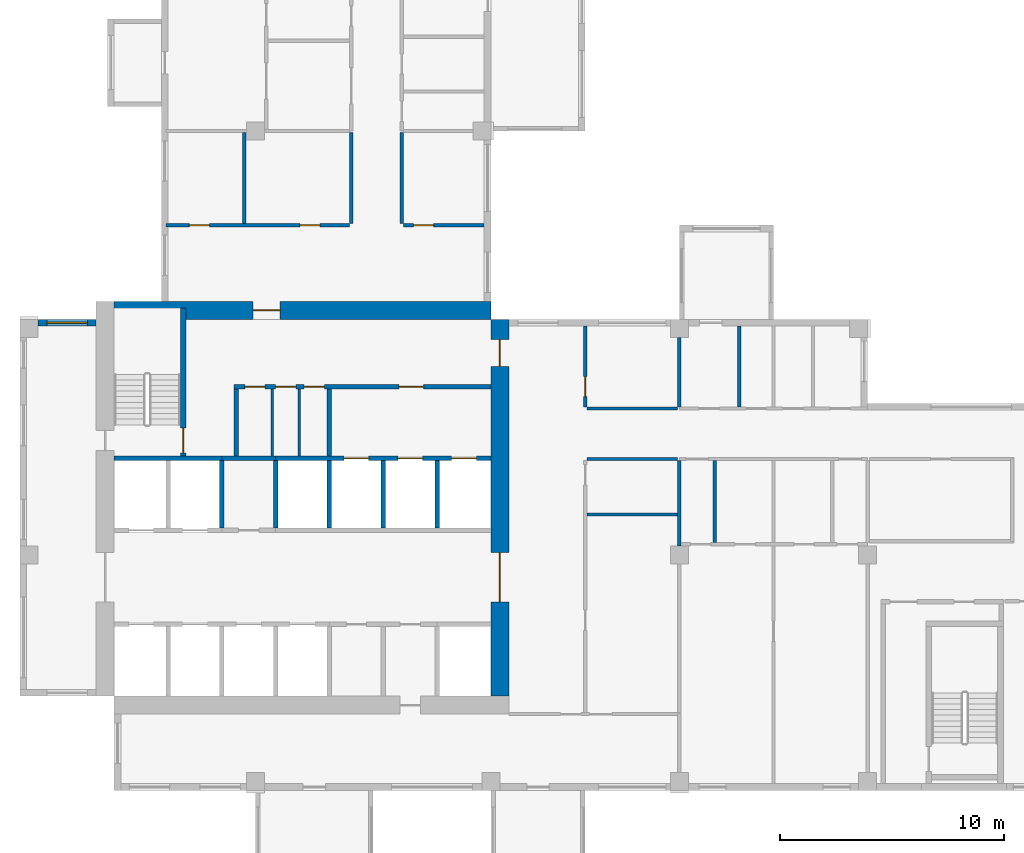
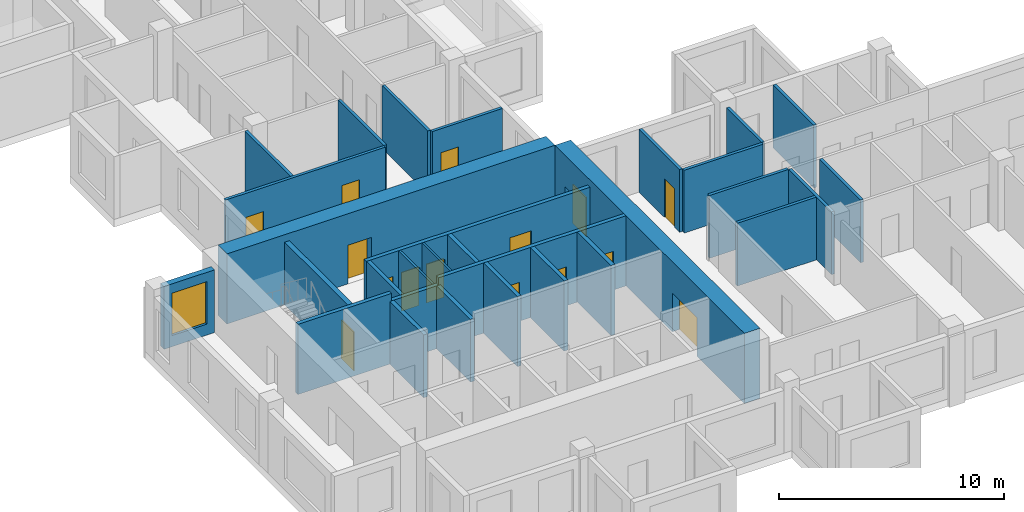
# One storey, part 3 of 12: 30 walls, 15 doors, 1 window, 16 openings.
"""IFC4 building model written with IfcOpenShell, lengths in metres."""

from ifc_helpers import new_model, si_unit, direction, frame, frame_2d, origin, place, context, subcontext, project, spatial, rectangle, extrude, source, transform, mapped, material, layer, layer_set, type_object, element, fill, save


model = new_model("IFC4")

# Units and contexts
model_context = context("Model", 3, precision=1e-05, world=origin(), true_north=direction((0.0, 1.0)))
body_context = subcontext(model_context, "Body", "Model", "MODEL_VIEW")
ifc_project = project(units=[si_unit("LENGTHUNIT", "METRE"), si_unit("AREAUNIT", "SQUARE_METRE"), si_unit("VOLUMEUNIT", "CUBIC_METRE"), si_unit("PLANEANGLEUNIT", "RADIAN"), si_unit("MASSUNIT", "GRAM", prefix="KILO")], contexts=[model_context])

# Site, building, storey
site_placement = place(None, origin())
site = spatial("IfcSite", under=ifc_project, at=site_placement, CompositionType="ELEMENT")
building_placement = place(site_placement, origin())
building = spatial("IfcBuilding", under=site, at=building_placement, Name="Aurelian Terraces", CompositionType="ELEMENT")
storey_placement = place(building_placement, frame((0.0, 0.0, 242.4)))
storey = spatial("IfcBuildingStorey", under=building, at=storey_placement, Name="L55", CompositionType="ELEMENT", Elevation=242.4)

# Wall, openings, doors
ifc_material_1 = material(Name="Concrete fc' 70 MPa", Category="concrete")
ifc_layer_1 = layer(ifc_material_1, 0.8)
ifc_layer_set_1 = layer_set([ifc_layer_1], Name="CORE WALL 800 FC70")
wall_type_1 = type_object("IfcWallType", Name="CORE WALL 800 FC70", PredefinedType="SHEAR", material=ifc_layer_set_1)
shared_shape_1 = source(origin(), body_context, "Body", "SweptSolid", [
    extrude(rectangle(XDim=16.8, YDim=0.8, at=frame_2d((8.4, 0.0))), origin(), (0.0, 0.0, 1.0), 3.8),
])
wall_1_placement = place(storey_placement, frame((21.4, 4.2, 0.0), z_axis=(0.0, 0.0, 1.0), x_axis=(0.0, 1.0, 0.0)))
wall_1 = element("IfcWall", 1, at=wall_1_placement, inside=storey, type_object=wall_type_1, Name="Core wall E L55", PredefinedType="SHEAR", context=body_context, shape_type="MappedRepresentation", body=[
    mapped(shared_shape_1, transform((0.0, 0.0, 0.0), scale=1.0)),
])
shared_shape_2 = source(origin(), body_context, "Body", "SweptSolid", [
    extrude(rectangle(XDim=2.2, YDim=2.1, at=frame_2d((1.1, 1.05))), frame((0.0, 0.41, 0.0), z_axis=(0.0, -1.0, 0.0), x_axis=(1.0, 0.0, 0.0)), (0.0, 0.0, 1.0), 0.82),
])
opening_1_placement = place(wall_1_placement, frame((4.2, 0.0, 0.0)))
opening_1 = element("IfcOpeningElement", 2, at=opening_1_placement, cuts=wall_1, Name="Opening 65823", PredefinedType="OPENING", context=body_context, shape_type="MappedRepresentation", body=[
    mapped(shared_shape_2, transform((0.0, 0.0, 0.0), scale=1.0)),
])
shared_shape_3 = source(origin(), body_context, "Body", "SweptSolid", [
    extrude(rectangle(XDim=1.2, YDim=2.1, at=frame_2d((0.6, 1.05))), frame((0.0, 0.41, 0.0), z_axis=(0.0, -1.0, 0.0), x_axis=(1.0, 0.0, 0.0)), (0.0, 0.0, 1.0), 0.82),
])
opening_2_placement = place(wall_1_placement, frame((14.7, 0.0, 0.0)))
opening_2 = element("IfcOpeningElement", 3, at=opening_2_placement, cuts=wall_1, Name="Opening 65826", PredefinedType="OPENING", context=body_context, shape_type="MappedRepresentation", body=[
    mapped(shared_shape_3, transform((0.0, 0.0, 0.0), scale=1.0)),
])
ifc_material_2 = material(Name="Steel door leaf", Category="steel")
door_type_1 = type_object("IfcDoorType", Name="Core fire door 1200x2100 right", OperationType="SINGLE_SWING_RIGHT", PredefinedType="DOOR", material=ifc_material_2)
shared_shape_4 = source(origin(), body_context, "Body", "SweptSolid", [
    extrude(rectangle(XDim=1.2, YDim=2.1, at=frame_2d((0.6, 1.05))), frame((0.0, 0.025, 0.0), z_axis=(0.0, -1.0, 0.0), x_axis=(1.0, 0.0, 0.0)), (0.0, 0.0, 1.0), 0.05),
])
door_1_placement = place(opening_2_placement, origin())
door_1 = element("IfcDoor", 4, at=door_1_placement, inside=storey, type_object=door_type_1, Name="Core door 65826", OperationType="SINGLE_SWING_RIGHT", OverallHeight=2.1, OverallWidth=1.2, PredefinedType="DOOR", context=body_context, shape_type="MappedRepresentation", body=[
    mapped(shared_shape_4, transform((0.0, 0.0, 0.0), scale=1.0)),
])
fill(opening_2, door_1)
door_type_2 = type_object("IfcDoorType", Name="Core double door 2200x2100", OperationType="DOUBLE_DOOR_SINGLE_SWING", PredefinedType="DOOR", material=ifc_material_2)
shared_shape_5 = source(origin(), body_context, "Body", "SweptSolid", [
    extrude(rectangle(XDim=2.2, YDim=2.1, at=frame_2d((1.1, 1.05))), frame((0.0, 0.025, 0.0), z_axis=(0.0, -1.0, 0.0), x_axis=(1.0, 0.0, 0.0)), (0.0, 0.0, 1.0), 0.05),
])
door_2_placement = place(opening_1_placement, origin())
door_2 = element("IfcDoor", 5, at=door_2_placement, inside=storey, type_object=door_type_2, Name="Core door 65823", OperationType="DOUBLE_DOOR_SINGLE_SWING", OverallHeight=2.1, OverallWidth=2.2, PredefinedType="DOOR", context=body_context, shape_type="MappedRepresentation", body=[
    mapped(shared_shape_5, transform((0.0, 0.0, 0.0), scale=1.0)),
])
fill(opening_1, door_2)

# Wall, opening, door
wall_2_placement = place(storey_placement, frame((4.2, 21.4, 0.0), z_axis=(0.0, 0.0, 1.0), x_axis=(1.0, 0.0, 0.0)))
wall_2 = element("IfcWall", 6, at=wall_2_placement, inside=storey, type_object=wall_type_1, Name="Core wall N L55", PredefinedType="SHEAR", context=body_context, shape_type="MappedRepresentation", body=[
    mapped(shared_shape_1, transform((0.0, 0.0, 0.0), scale=1.0)),
])
opening_3_placement = place(wall_2_placement, frame((6.2, 0.0, 0.0)))
opening_3 = element("IfcOpeningElement", 7, at=opening_3_placement, cuts=wall_2, Name="Opening 65825", PredefinedType="OPENING", context=body_context, shape_type="MappedRepresentation", body=[
    mapped(shared_shape_3, transform((0.0, 0.0, 0.0), scale=1.0)),
])
door_type_3 = type_object("IfcDoorType", Name="Core fire door 1200x2100", OperationType="SINGLE_SWING_LEFT", PredefinedType="DOOR", material=ifc_material_2)
door_3_placement = place(opening_3_placement, origin())
door_3 = element("IfcDoor", 8, at=door_3_placement, inside=storey, type_object=door_type_3, Name="Core door 65825", OperationType="SINGLE_SWING_LEFT", OverallHeight=2.1, OverallWidth=1.2, PredefinedType="DOOR", context=body_context, shape_type="MappedRepresentation", body=[
    mapped(shared_shape_4, transform((0.0, 0.0, 0.0), scale=1.0)),
])
fill(opening_3, door_3)

# Wall, opening, window
ifc_material_3 = material(Name="Terracotta rainscreen cladding", Category="masonry")
ifc_layer_2 = layer(ifc_material_3, 0.3)
ifc_layer_set_2 = layer_set([ifc_layer_2], Name="EW-300")
wall_type_2 = type_object("IfcWallType", Name="EW-300", PredefinedType="STANDARD", material=ifc_layer_set_2)
shared_shape_6 = source(origin(), body_context, "Body", "SweptSolid", [
    extrude(rectangle(XDim=2.6, YDim=0.3, at=frame_2d((1.3, 0.0))), origin(), (0.0, 0.0, 1.0), 3.4),
])
wall_3_placement = place(storey_placement, frame((3.4, 20.85, 0.0), z_axis=(0.0, 0.0, 1.0), x_axis=(-1.0, 0.0, 0.0)))
wall_3 = element("IfcWall", 9, at=wall_3_placement, inside=storey, type_object=wall_type_2, Name="External wall L55 F19.31", PredefinedType="STANDARD", context=body_context, shape_type="MappedRepresentation", body=[
    mapped(shared_shape_6, transform((0.0, 0.0, 0.0), scale=1.0)),
])
shared_shape_7 = source(origin(), body_context, "Body", "SweptSolid", [
    extrude(rectangle(XDim=1.8, YDim=2.3, at=frame_2d((0.9, 1.15))), frame((0.0, 0.16, 0.0), z_axis=(0.0, -1.0, 0.0), x_axis=(1.0, 0.0, 0.0)), (0.0, 0.0, 1.0), 0.32),
])
opening_4_placement = place(wall_3_placement, frame((0.4, 0.0, 0.6)))
opening_4 = element("IfcOpeningElement", 10, at=opening_4_placement, cuts=wall_3, Name="Opening W1823", PredefinedType="OPENING", context=body_context, shape_type="MappedRepresentation", body=[
    mapped(shared_shape_7, transform((0.0, 0.0, 0.0), scale=1.0)),
])
ifc_material_4 = material(Name="Clear glazing", Category="glass")
window_type = type_object("IfcWindowType", Name="W-1800x2300", PartitioningType="SINGLE_PANEL", PredefinedType="WINDOW", material=ifc_material_4)
shared_shape_8 = source(origin(), body_context, "Body", "SweptSolid", [
    extrude(rectangle(XDim=1.8, YDim=2.3, at=frame_2d((0.9, 1.15))), frame((0.0, 0.03, 0.0), z_axis=(0.0, -1.0, 0.0), x_axis=(1.0, 0.0, 0.0)), (0.0, 0.0, 1.0), 0.06),
])
window_placement = place(opening_4_placement, origin())
window = element("IfcWindow", 11, at=window_placement, inside=storey, type_object=window_type, Name="Window L55 L55-F19-31-0", OverallHeight=2.3, OverallWidth=1.8, PartitioningType="SINGLE_PANEL", PredefinedType="WINDOW", context=body_context, shape_type="MappedRepresentation", body=[
    mapped(shared_shape_8, transform((0.0, 0.0, 0.0), scale=1.0)),
])
fill(opening_4, window)

# Walls
ifc_material_5 = material(Name="Concrete fc' 40 MPa", Category="concrete")
ifc_layer_3 = layer(ifc_material_5, 0.2)
ifc_layer_set_3 = layer_set([ifc_layer_3], Name="Lift shaft wall 200")
wall_type_3 = type_object("IfcWallType", Name="Lift shaft wall 200", PredefinedType="SOLIDWALL", material=ifc_layer_set_3)
shared_shape_9 = source(origin(), body_context, "Body", "SweptSolid", [
    extrude(rectangle(XDim=3.0, YDim=0.2, at=frame_2d((1.5, 0.0))), origin(), (0.0, 0.0, 1.0), 3.4),
])
for number, where, z_axis, x_axis, name in (
    (12, (9.0, 11.7, 0.0), (0.0, 0.0, 1.0), (0.0, 1.0, 0.0), "L55 core wall CD-B2"),
    (13, (11.4, 11.7, 0.0), (0.0, 0.0, 1.0), (0.0, 1.0, 0.0), "L55 core wall CD-B3"),
):
    element("IfcWall", number, at=place(storey_placement, frame(where, z_axis=z_axis, x_axis=x_axis)), inside=storey, type_object=wall_type_3, Name=name, PredefinedType="SOLIDWALL", context=body_context, shape_type="MappedRepresentation", body=[
        mapped(shared_shape_9, transform((0.0, 0.0, 0.0), scale=1.0)),
    ])
shared_shape_10 = source(origin(), body_context, "Body", "SweptSolid", [
    extrude(rectangle(XDim=3.0, YDim=0.2, at=frame_2d((1.5, 0.0))), origin(), (0.0, 0.0, 1.0), 3.8),
])
for number, where, z_axis, x_axis, name in (
    (14, (13.8, 11.7, 0.0), (0.0, 0.0, 1.0), (0.0, 1.0, 0.0), "L55 core wall CD-B4"),
    (15, (16.2, 11.7, 0.0), (0.0, 0.0, 1.0), (0.0, 1.0, 0.0), "L55 core wall CD-B5"),
    (16, (18.6, 11.7, 0.0), (0.0, 0.0, 1.0), (0.0, 1.0, 0.0), "L55 core wall CD-B6"),
):
    element("IfcWall", number, at=place(storey_placement, frame(where, z_axis=z_axis, x_axis=x_axis)), inside=storey, type_object=wall_type_3, Name=name, PredefinedType="SOLIDWALL", context=body_context, shape_type="MappedRepresentation", body=[
        mapped(shared_shape_10, transform((0.0, 0.0, 0.0), scale=1.0)),
    ])

# Wall, openings, doors
shared_shape_11 = source(origin(), body_context, "Body", "SweptSolid", [
    extrude(rectangle(XDim=9.6, YDim=0.2, at=frame_2d((4.8, 0.0))), origin(), (0.0, 0.0, 1.0), 3.8),
])
wall_4_placement = place(storey_placement, frame((11.4, 14.8, 0.0), z_axis=(0.0, 0.0, 1.0), x_axis=(1.0, 0.0, 0.0)))
wall_4 = element("IfcWall", 17, at=wall_4_placement, inside=storey, type_object=wall_type_3, Name="L55 core wall CF-BB3", PredefinedType="SOLIDWALL", context=body_context, shape_type="MappedRepresentation", body=[
    mapped(shared_shape_11, transform((0.0, 0.0, 0.0), scale=1.0)),
])
shared_shape_12 = source(origin(), body_context, "Body", "SweptSolid", [
    extrude(rectangle(XDim=1.1, YDim=2.1, at=frame_2d((0.55, 1.05))), frame((0.0, 0.11, 0.0), z_axis=(0.0, -1.0, 0.0), x_axis=(1.0, 0.0, 0.0)), (0.0, 0.0, 1.0), 0.22),
])
opening_5_placement = place(wall_4_placement, frame((3.05, 0.0, 0.0)))
opening_5 = element("IfcOpeningElement", 18, at=opening_5_placement, cuts=wall_4, Name="Opening 65809", PredefinedType="OPENING", context=body_context, shape_type="MappedRepresentation", body=[
    mapped(shared_shape_12, transform((0.0, 0.0, 0.0), scale=1.0)),
])
opening_6_placement = place(wall_4_placement, frame((5.45, 0.0, 0.0)))
opening_6 = element("IfcOpeningElement", 19, at=opening_6_placement, cuts=wall_4, Name="Opening 65810", PredefinedType="OPENING", context=body_context, shape_type="MappedRepresentation", body=[
    mapped(shared_shape_12, transform((0.0, 0.0, 0.0), scale=1.0)),
])
opening_7_placement = place(wall_4_placement, frame((7.85, 0.0, 0.0)))
opening_7 = element("IfcOpeningElement", 20, at=opening_7_placement, cuts=wall_4, Name="Opening 65811", PredefinedType="OPENING", context=body_context, shape_type="MappedRepresentation", body=[
    mapped(shared_shape_12, transform((0.0, 0.0, 0.0), scale=1.0)),
])
ifc_material_6 = material(Name="Stainless steel", Category="steel")
door_type_4 = type_object("IfcDoorType", Name="Lift landing door 1100x2100", OperationType="SLIDING_TO_LEFT", PredefinedType="DOOR", material=ifc_material_6)
shared_shape_13 = source(origin(), body_context, "Body", "SweptSolid", [
    extrude(rectangle(XDim=1.1, YDim=2.1, at=frame_2d((0.55, 1.05))), frame((0.0, 0.025, 0.0), z_axis=(0.0, -1.0, 0.0), x_axis=(1.0, 0.0, 0.0)), (0.0, 0.0, 1.0), 0.05),
])
door_4_placement = place(opening_5_placement, origin())
door_4 = element("IfcDoor", 21, at=door_4_placement, inside=storey, type_object=door_type_4, Name="Lift landing door F1 L55", OperationType="SLIDING_TO_LEFT", OverallHeight=2.1, OverallWidth=1.1, PredefinedType="DOOR", context=body_context, shape_type="MappedRepresentation", body=[
    mapped(shared_shape_13, transform((0.0, 0.0, 0.0), scale=1.0)),
])
fill(opening_5, door_4)
door_5_placement = place(opening_6_placement, origin())
door_5 = element("IfcDoor", 22, at=door_5_placement, inside=storey, type_object=door_type_4, Name="Lift landing door F2 L55", OperationType="SLIDING_TO_LEFT", OverallHeight=2.1, OverallWidth=1.1, PredefinedType="DOOR", context=body_context, shape_type="MappedRepresentation", body=[
    mapped(shared_shape_13, transform((0.0, 0.0, 0.0), scale=1.0)),
])
fill(opening_6, door_5)
door_6_placement = place(opening_7_placement, origin())
door_6 = element("IfcDoor", 23, at=door_6_placement, inside=storey, type_object=door_type_4, Name="Lift landing door F3 L55", OperationType="SLIDING_TO_LEFT", OverallHeight=2.1, OverallWidth=1.1, PredefinedType="DOOR", context=body_context, shape_type="MappedRepresentation", body=[
    mapped(shared_shape_13, transform((0.0, 0.0, 0.0), scale=1.0)),
])
fill(opening_7, door_6)

# Walls
shared_shape_14 = source(origin(), body_context, "Body", "SweptSolid", [
    extrude(rectangle(XDim=4.8, YDim=0.2, at=frame_2d((2.4, 0.0))), origin(), (0.0, 0.0, 1.0), 3.8),
])
wall_5_placement = place(storey_placement, frame((4.2, 14.8, 0.0), z_axis=(0.0, 0.0, 1.0), x_axis=(1.0, 0.0, 0.0)))
element("IfcWall", 24, at=wall_5_placement, inside=storey, type_object=wall_type_3, Name="L55 core wall CF-BB1", PredefinedType="SOLIDWALL", context=body_context, shape_type="MappedRepresentation", body=[
    mapped(shared_shape_14, transform((0.0, 0.0, 0.0), scale=1.0)),
])
shared_shape_15 = source(origin(), body_context, "Body", "SweptSolid", [
    extrude(rectangle(XDim=2.4, YDim=0.2, at=frame_2d((1.2, 0.0))), origin(), (0.0, 0.0, 1.0), 3.4),
])
wall_6_placement = place(storey_placement, frame((9.0, 14.8, 0.0), z_axis=(0.0, 0.0, 1.0), x_axis=(1.0, 0.0, 0.0)))
element("IfcWall", 25, at=wall_6_placement, inside=storey, type_object=wall_type_3, Name="L55 core wall CF-BB2", PredefinedType="SOLIDWALL", context=body_context, shape_type="MappedRepresentation", body=[
    mapped(shared_shape_15, transform((0.0, 0.0, 0.0), scale=1.0)),
])
ifc_material_7 = material(Name="Gypsum board on steel studs", Category="steel")
ifc_layer_4 = layer(ifc_material_7, 0.2)
ifc_layer_set_4 = layer_set([ifc_layer_4], Name="Core partition 200")
wall_type_4 = type_object("IfcWallType", Name="Core partition 200", PredefinedType="PARTITIONING", material=ifc_layer_set_4)
shared_shape_16 = source(origin(), body_context, "Body", "SweptSolid", [
    extrude(rectangle(XDim=3.0, YDim=0.2, at=frame_2d((1.5, 0.0))), origin(), (0.0, 0.0, 1.0), 3.4),
])
for number, where, z_axis, x_axis, name in (
    (26, (9.65, 14.9, 0.0), (0.0, 0.0, 1.0), (0.0, 1.0, 0.0), "L55 core wall CP-VEST"),
    (27, (13.8, 14.9, 0.0), (0.0, 0.0, 1.0), (0.0, 1.0, 0.0), "L55 core wall CP-FFL"),
):
    element("IfcWall", number, at=place(storey_placement, frame(where, z_axis=z_axis, x_axis=x_axis)), inside=storey, type_object=wall_type_4, Name=name, PredefinedType="PARTITIONING", context=body_context, shape_type="MappedRepresentation", body=[
        mapped(shared_shape_16, transform((0.0, 0.0, 0.0), scale=1.0)),
    ])
ifc_layer_5 = layer(ifc_material_7, 0.1)
ifc_layer_set_5 = layer_set([ifc_layer_5], Name="Core partition 100")
wall_type_5 = type_object("IfcWallType", Name="Core partition 100", PredefinedType="PARTITIONING", material=ifc_layer_set_5)
shared_shape_17 = source(origin(), body_context, "Body", "SweptSolid", [
    extrude(rectangle(XDim=3.0, YDim=0.1, at=frame_2d((1.5, 0.0))), origin(), (0.0, 0.0, 1.0), 3.4),
])
for number, where, z_axis, x_axis, name in (
    (28, (11.25, 14.9, 0.0), (0.0, 0.0, 1.0), (0.0, 1.0, 0.0), "L55 core wall CP-SV1"),
    (29, (12.45, 14.9, 0.0), (0.0, 0.0, 1.0), (0.0, 1.0, 0.0), "L55 core wall CP-SV2"),
):
    element("IfcWall", number, at=place(storey_placement, frame(where, z_axis=z_axis, x_axis=x_axis)), inside=storey, type_object=wall_type_5, Name=name, PredefinedType="PARTITIONING", context=body_context, shape_type="MappedRepresentation", body=[
        mapped(shared_shape_17, transform((0.0, 0.0, 0.0), scale=1.0)),
    ])

# Wall, opening, door
ifc_layer_6 = layer(ifc_material_5, 0.25)
ifc_layer_set_6 = layer_set([ifc_layer_6], Name="Stair enclosure wall 250")
wall_type_6 = type_object("IfcWallType", Name="Stair enclosure wall 250", PredefinedType="SOLIDWALL", material=ifc_layer_set_6)
shared_shape_18 = source(origin(), body_context, "Body", "SweptSolid", [
    extrude(rectangle(XDim=6.6, YDim=0.25, at=frame_2d((3.3, 0.0))), origin(), (0.0, 0.0, 1.0), 3.4),
])
wall_7_placement = place(storey_placement, frame((7.275, 14.9, 0.0), z_axis=(0.0, 0.0, 1.0), x_axis=(0.0, 1.0, 0.0)))
wall_7 = element("IfcWall", 30, at=wall_7_placement, inside=storey, type_object=wall_type_6, Name="L55 core wall ST-S1-E", PredefinedType="SOLIDWALL", context=body_context, shape_type="MappedRepresentation", body=[
    mapped(shared_shape_18, transform((0.0, 0.0, 0.0), scale=1.0)),
])
shared_shape_19 = source(origin(), body_context, "Body", "SweptSolid", [
    extrude(rectangle(XDim=1.1, YDim=2.1, at=frame_2d((0.55, 1.05))), frame((0.0, 0.135, 0.0), z_axis=(0.0, -1.0, 0.0), x_axis=(1.0, 0.0, 0.0)), (0.0, 0.0, 1.0), 0.27),
])
opening_8_placement = place(wall_7_placement, frame((0.15, 0.0, 0.0)))
opening_8 = element("IfcOpeningElement", 31, at=opening_8_placement, cuts=wall_7, Name="Opening 65812", PredefinedType="OPENING", context=body_context, shape_type="MappedRepresentation", body=[
    mapped(shared_shape_19, transform((0.0, 0.0, 0.0), scale=1.0)),
])
door_type_5 = type_object("IfcDoorType", Name="Core fire door 1100x2100", OperationType="SINGLE_SWING_LEFT", PredefinedType="DOOR", material=ifc_material_2)
door_7_placement = place(opening_8_placement, origin())
door_7 = element("IfcDoor", 32, at=door_7_placement, inside=storey, type_object=door_type_5, Name="Stair door 65812", OperationType="SINGLE_SWING_LEFT", OverallHeight=2.1, OverallWidth=1.1, PredefinedType="DOOR", context=body_context, shape_type="MappedRepresentation", body=[
    mapped(shared_shape_13, transform((0.0, 0.0, 0.0), scale=1.0)),
])
fill(opening_8, door_7)

# Wall, openings, doors
shared_shape_20 = source(origin(), body_context, "Body", "SweptSolid", [
    extrude(rectangle(XDim=11.45, YDim=0.2, at=frame_2d((5.725, 0.0))), origin(), (0.0, 0.0, 1.0), 3.4),
])
wall_8_placement = place(storey_placement, frame((9.55, 18.0, 0.0), z_axis=(0.0, 0.0, 1.0), x_axis=(1.0, 0.0, 0.0)))
wall_8 = element("IfcWall", 33, at=wall_8_placement, inside=storey, type_object=wall_type_4, Name="L55 core wall CP-NORTH", PredefinedType="PARTITIONING", context=body_context, shape_type="MappedRepresentation", body=[
    mapped(shared_shape_20, transform((0.0, 0.0, 0.0), scale=1.0)),
])
shared_shape_21 = source(origin(), body_context, "Body", "SweptSolid", [
    extrude(rectangle(XDim=0.9, YDim=2.1, at=frame_2d((0.45, 1.05))), frame((0.0, 0.11, 0.0), z_axis=(0.0, -1.0, 0.0), x_axis=(1.0, 0.0, 0.0)), (0.0, 0.0, 1.0), 0.22),
])
opening_9_placement = place(wall_8_placement, frame((0.475, 0.0, 0.0)))
opening_9 = element("IfcOpeningElement", 34, at=opening_9_placement, cuts=wall_8, Name="Opening 65813", PredefinedType="OPENING", context=body_context, shape_type="MappedRepresentation", body=[
    mapped(shared_shape_21, transform((0.0, 0.0, 0.0), scale=1.0)),
])
opening_10_placement = place(wall_8_placement, frame((1.85, 0.0, 0.0)))
opening_10 = element("IfcOpeningElement", 35, at=opening_10_placement, cuts=wall_8, Name="Opening 65814", PredefinedType="OPENING", context=body_context, shape_type="MappedRepresentation", body=[
    mapped(shared_shape_21, transform((0.0, 0.0, 0.0), scale=1.0)),
])
opening_11_placement = place(wall_8_placement, frame((3.125, 0.0, 0.0)))
opening_11 = element("IfcOpeningElement", 36, at=opening_11_placement, cuts=wall_8, Name="Opening 65815", PredefinedType="OPENING", context=body_context, shape_type="MappedRepresentation", body=[
    mapped(shared_shape_21, transform((0.0, 0.0, 0.0), scale=1.0)),
])
opening_12_placement = place(wall_8_placement, frame((7.35, 0.0, 0.0)))
opening_12 = element("IfcOpeningElement", 37, at=opening_12_placement, cuts=wall_8, Name="Opening 65816", PredefinedType="OPENING", context=body_context, shape_type="MappedRepresentation", body=[
    mapped(shared_shape_12, transform((0.0, 0.0, 0.0), scale=1.0)),
])
door_type_6 = type_object("IfcDoorType", Name="Core service door 900x2100 right", OperationType="SINGLE_SWING_RIGHT", PredefinedType="DOOR", material=ifc_material_2)
shared_shape_22 = source(origin(), body_context, "Body", "SweptSolid", [
    extrude(rectangle(XDim=0.9, YDim=2.1, at=frame_2d((0.45, 1.05))), frame((0.0, 0.025, 0.0), z_axis=(0.0, -1.0, 0.0), x_axis=(1.0, 0.0, 0.0)), (0.0, 0.0, 1.0), 0.05),
])
door_8_placement = place(opening_9_placement, origin())
door_8 = element("IfcDoor", 38, at=door_8_placement, inside=storey, type_object=door_type_6, Name="Room door 65813", OperationType="SINGLE_SWING_RIGHT", OverallHeight=2.1, OverallWidth=0.9, PredefinedType="DOOR", context=body_context, shape_type="MappedRepresentation", body=[
    mapped(shared_shape_22, transform((0.0, 0.0, 0.0), scale=1.0)),
])
fill(opening_9, door_8)
door_type_7 = type_object("IfcDoorType", Name="Core riser door 900x2100", OperationType="SINGLE_SWING_LEFT", PredefinedType="DOOR", material=ifc_material_2)
door_9_placement = place(opening_10_placement, origin())
door_9 = element("IfcDoor", 39, at=door_9_placement, inside=storey, type_object=door_type_7, Name="Room door 65814", OperationType="SINGLE_SWING_LEFT", OverallHeight=2.1, OverallWidth=0.9, PredefinedType="DOOR", context=body_context, shape_type="MappedRepresentation", body=[
    mapped(shared_shape_22, transform((0.0, 0.0, 0.0), scale=1.0)),
])
fill(opening_10, door_9)
door_10_placement = place(opening_11_placement, origin())
door_10 = element("IfcDoor", 40, at=door_10_placement, inside=storey, type_object=door_type_6, Name="Room door 65815", OperationType="SINGLE_SWING_RIGHT", OverallHeight=2.1, OverallWidth=0.9, PredefinedType="DOOR", context=body_context, shape_type="MappedRepresentation", body=[
    mapped(shared_shape_22, transform((0.0, 0.0, 0.0), scale=1.0)),
])
fill(opening_11, door_10)
door_11_placement = place(opening_12_placement, origin())
door_11 = element("IfcDoor", 41, at=door_11_placement, inside=storey, type_object=door_type_5, Name="Ff lobby door 65816", OperationType="SINGLE_SWING_LEFT", OverallHeight=2.1, OverallWidth=1.1, PredefinedType="DOOR", context=body_context, shape_type="MappedRepresentation", body=[
    mapped(shared_shape_13, transform((0.0, 0.0, 0.0), scale=1.0)),
])
fill(opening_12, door_11)

# Wall, opening, door
ifc_layer_7 = layer(ifc_material_7, 0.15)
ifc_layer_set_7 = layer_set([ifc_layer_7], Name="Partition 150")
wall_type_7 = type_object("IfcWallType", Name="Partition 150", PredefinedType="PARTITIONING", material=ifc_layer_set_7)
shared_shape_23 = source(origin(), body_context, "Body", "SweptSolid", [
    extrude(rectangle(XDim=3.6, YDim=0.15, at=frame_2d((1.8, 0.0))), origin(), (0.0, 0.0, 1.0), 3.4),
])
wall_9_placement = place(storey_placement, frame((25.2, 20.7, 0.0), z_axis=(0.0, 0.0, 1.0), x_axis=(0.0, -1.0, 0.0)))
wall_9 = element("IfcWall", 42, at=wall_9_placement, inside=storey, type_object=wall_type_7, Name="Partition", PredefinedType="PARTITIONING", context=body_context, shape_type="MappedRepresentation", body=[
    mapped(shared_shape_23, transform((0.0, 0.0, 0.0), scale=1.0)),
])
shared_shape_24 = source(origin(), body_context, "Body", "SweptSolid", [
    extrude(rectangle(XDim=0.9, YDim=2.1, at=frame_2d((0.45, 1.05))), frame((0.0, 0.085, 0.0), z_axis=(0.0, -1.0, 0.0), x_axis=(1.0, 0.0, 0.0)), (0.0, 0.0, 1.0), 0.17),
])
opening_13_placement = place(wall_9_placement, frame((2.25, 0.0, 0.0)))
opening_13 = element("IfcOpeningElement", 43, at=opening_13_placement, cuts=wall_9, Name="Opening 755003", PredefinedType="OPENING", context=body_context, shape_type="MappedRepresentation", body=[
    mapped(shared_shape_24, transform((0.0, 0.0, 0.0), scale=1.0)),
])
ifc_material_8 = material(Name="Timber door leaf", Category="wood")
door_type_8 = type_object("IfcDoorType", Name="Room door 900x2100 right", OperationType="SINGLE_SWING_RIGHT", PredefinedType="DOOR", material=ifc_material_8)
door_12_placement = place(opening_13_placement, origin())
door_12 = element("IfcDoor", 44, at=door_12_placement, inside=storey, type_object=door_type_8, Name="Door 755003", OperationType="SINGLE_SWING_RIGHT", OverallHeight=2.1, OverallWidth=0.9, PredefinedType="DOOR", context=body_context, shape_type="MappedRepresentation", body=[
    mapped(shared_shape_22, transform((0.0, 0.0, 0.0), scale=1.0)),
])
fill(opening_13, door_12)

# Wall
wall_10_placement = place(storey_placement, frame((32.067, 20.7, 0.0), z_axis=(0.0, 0.0, 1.0), x_axis=(0.0, -1.0, 0.0)))
element("IfcWall", 45, at=wall_10_placement, inside=storey, type_object=wall_type_7, Name="Partition", PredefinedType="PARTITIONING", context=body_context, shape_type="MappedRepresentation", body=[
    mapped(shared_shape_23, transform((0.0, 0.0, 0.0), scale=1.0)),
])

# Wall, opening, door
wall_11_placement = place(storey_placement, frame((17.1, 25.2, 0.0), z_axis=(0.0, 0.0, 1.0), x_axis=(1.0, 0.0, 0.0)))
wall_11 = element("IfcWall", 46, at=wall_11_placement, inside=storey, type_object=wall_type_7, Name="Partition", PredefinedType="PARTITIONING", context=body_context, shape_type="MappedRepresentation", body=[
    mapped(shared_shape_23, transform((0.0, 0.0, 0.0), scale=1.0)),
])
opening_14_placement = place(wall_11_placement, frame((0.45, 0.0, 0.0)))
opening_14 = element("IfcOpeningElement", 47, at=opening_14_placement, cuts=wall_11, Name="Opening 755024", PredefinedType="OPENING", context=body_context, shape_type="MappedRepresentation", body=[
    mapped(shared_shape_24, transform((0.0, 0.0, 0.0), scale=1.0)),
])
door_13_placement = place(opening_14_placement, origin())
door_13 = element("IfcDoor", 48, at=door_13_placement, inside=storey, type_object=door_type_8, Name="Door 755024", OperationType="SINGLE_SWING_RIGHT", OverallHeight=2.1, OverallWidth=0.9, PredefinedType="DOOR", context=body_context, shape_type="MappedRepresentation", body=[
    mapped(shared_shape_22, transform((0.0, 0.0, 0.0), scale=1.0)),
])
fill(opening_14, door_13)

# Wall, openings, doors
shared_shape_25 = source(origin(), body_context, "Body", "SweptSolid", [
    extrude(rectangle(XDim=8.195, YDim=0.15, at=frame_2d((4.0975, 0.0))), origin(), (0.0, 0.0, 1.0), 3.4),
])
wall_12_placement = place(storey_placement, frame((6.505, 25.2, 0.0), z_axis=(0.0, 0.0, 1.0), x_axis=(1.0, 0.0, 0.0)))
wall_12 = element("IfcWall", 49, at=wall_12_placement, inside=storey, type_object=wall_type_7, Name="Partition", PredefinedType="PARTITIONING", context=body_context, shape_type="MappedRepresentation", body=[
    mapped(shared_shape_25, transform((0.0, 0.0, 0.0), scale=1.0)),
])
opening_15_placement = place(wall_12_placement, frame((1.045, 0.0, 0.0)))
opening_15 = element("IfcOpeningElement", 50, at=opening_15_placement, cuts=wall_12, Name="Opening 755022", PredefinedType="OPENING", context=body_context, shape_type="MappedRepresentation", body=[
    mapped(shared_shape_24, transform((0.0, 0.0, 0.0), scale=1.0)),
])
opening_16_placement = place(wall_12_placement, frame((5.97, 0.0, 0.0)))
opening_16 = element("IfcOpeningElement", 51, at=opening_16_placement, cuts=wall_12, Name="Opening 755023", PredefinedType="OPENING", context=body_context, shape_type="MappedRepresentation", body=[
    mapped(shared_shape_24, transform((0.0, 0.0, 0.0), scale=1.0)),
])
door_14_placement = place(opening_15_placement, origin())
door_14 = element("IfcDoor", 52, at=door_14_placement, inside=storey, type_object=door_type_8, Name="Door 755022", OperationType="SINGLE_SWING_RIGHT", OverallHeight=2.1, OverallWidth=0.9, PredefinedType="DOOR", context=body_context, shape_type="MappedRepresentation", body=[
    mapped(shared_shape_22, transform((0.0, 0.0, 0.0), scale=1.0)),
])
fill(opening_15, door_14)
door_type_9 = type_object("IfcDoorType", Name="Room door 900x2100 left", OperationType="SINGLE_SWING_LEFT", PredefinedType="DOOR", material=ifc_material_8)
door_15_placement = place(opening_16_placement, origin())
door_15 = element("IfcDoor", 53, at=door_15_placement, inside=storey, type_object=door_type_9, Name="Door 755023", OperationType="SINGLE_SWING_LEFT", OverallHeight=2.1, OverallWidth=0.9, PredefinedType="DOOR", context=body_context, shape_type="MappedRepresentation", body=[
    mapped(shared_shape_22, transform((0.0, 0.0, 0.0), scale=1.0)),
])
fill(opening_16, door_15)

# Walls
shared_shape_26 = source(origin(), body_context, "Body", "SweptSolid", [
    extrude(rectangle(XDim=4.05, YDim=0.15, at=frame_2d((2.025, 0.0))), origin(), (0.0, 0.0, 1.0), 3.4),
])
wall_13_placement = place(storey_placement, frame((29.325, 12.3, 0.0), z_axis=(0.0, 0.0, 1.0), x_axis=(-1.0, 0.0, 0.0)))
element("IfcWall", 54, at=wall_13_placement, inside=storey, type_object=wall_type_7, Name="Partition", PredefinedType="PARTITIONING", context=body_context, shape_type="MappedRepresentation", body=[
    mapped(shared_shape_26, transform((0.0, 0.0, 0.0), scale=1.0)),
])
ifc_layer_8 = layer(ifc_material_7, 0.15)
ifc_layer_set_8 = layer_set([ifc_layer_8], Name="Fire partition 150")
wall_type_8 = type_object("IfcWallType", Name="Fire partition 150", PredefinedType="PARTITIONING", material=ifc_layer_set_8)
for number, where, z_axis, x_axis, name in (
    (55, (29.325, 14.775, 0.0), (0.0, 0.0, 1.0), (-1.0, 0.0, 0.0), "Corridor wall"),
    (56, (25.275, 17.025, 0.0), (0.0, 0.0, 1.0), (1.0, 0.0, 0.0), "Corridor wall"),
):
    element("IfcWall", number, at=place(storey_placement, frame(where, z_axis=z_axis, x_axis=x_axis)), inside=storey, type_object=wall_type_8, Name=name, PredefinedType="PARTITIONING", context=body_context, shape_type="MappedRepresentation", body=[
        mapped(shared_shape_26, transform((0.0, 0.0, 0.0), scale=1.0)),
    ])
wall_14_placement = place(storey_placement, frame((10.0, 25.275, 0.0), z_axis=(0.0, 0.0, 1.0), x_axis=(0.0, 1.0, 0.0)))
element("IfcWall", 57, at=wall_14_placement, inside=storey, type_object=wall_type_7, Name="Partition", PredefinedType="PARTITIONING", context=body_context, shape_type="MappedRepresentation", body=[
    mapped(shared_shape_26, transform((0.0, 0.0, 0.0), scale=1.0)),
])
for number, where, z_axis, x_axis, name in (
    (58, (14.775, 25.275, 0.0), (0.0, 0.0, 1.0), (0.0, 1.0, 0.0), "Corridor wall"),
    (59, (17.025, 29.325, 0.0), (0.0, 0.0, 1.0), (0.0, -1.0, 0.0), "Corridor wall"),
):
    element("IfcWall", number, at=place(storey_placement, frame(where, z_axis=z_axis, x_axis=x_axis)), inside=storey, type_object=wall_type_8, Name=name, PredefinedType="PARTITIONING", context=body_context, shape_type="MappedRepresentation", body=[
        mapped(shared_shape_26, transform((0.0, 0.0, 0.0), scale=1.0)),
    ])
shared_shape_27 = source(origin(), body_context, "Body", "SweptSolid", [
    extrude(rectangle(XDim=3.101, YDim=0.15, at=frame_2d((1.5505, 0.0))), origin(), (0.0, 0.0, 1.0), 3.4),
])
wall_15_placement = place(storey_placement, frame((29.4, 17.1, 0.0), z_axis=(0.0, 0.0, 1.0), x_axis=(0.0, 1.0, 0.0)))
element("IfcWall", 60, at=wall_15_placement, inside=storey, type_object=wall_type_7, Name="Partition", PredefinedType="PARTITIONING", context=body_context, shape_type="MappedRepresentation", body=[
    mapped(shared_shape_27, transform((0.0, 0.0, 0.0), scale=1.0)),
])
shared_shape_28 = source(origin(), body_context, "Body", "SweptSolid", [
    extrude(rectangle(XDim=3.65, YDim=0.15, at=frame_2d((1.825, 0.0))), origin(), (0.0, 0.0, 1.0), 3.4),
])
wall_16_placement = place(storey_placement, frame((30.975, 11.05, 0.0), z_axis=(0.0, 0.0, 1.0), x_axis=(0.0, 1.0, 0.0)))
element("IfcWall", 61, at=wall_16_placement, inside=storey, type_object=wall_type_7, Name="Partition", PredefinedType="PARTITIONING", context=body_context, shape_type="MappedRepresentation", body=[
    mapped(shared_shape_28, transform((0.0, 0.0, 0.0), scale=1.0)),
])
shared_shape_29 = source(origin(), body_context, "Body", "SweptSolid", [
    extrude(rectangle(XDim=3.801, YDim=0.15, at=frame_2d((1.9005, 0.0))), origin(), (0.0, 0.0, 1.0), 3.4),
])
wall_17_placement = place(storey_placement, frame((29.4, 10.899, 0.0), z_axis=(0.0, 0.0, 1.0), x_axis=(0.0, 1.0, 0.0)))
element("IfcWall", 62, at=wall_17_placement, inside=storey, type_object=wall_type_7, Name="Partition", PredefinedType="PARTITIONING", context=body_context, shape_type="MappedRepresentation", body=[
    mapped(shared_shape_29, transform((0.0, 0.0, 0.0), scale=1.0)),
])

save(model, "model.ifc")
